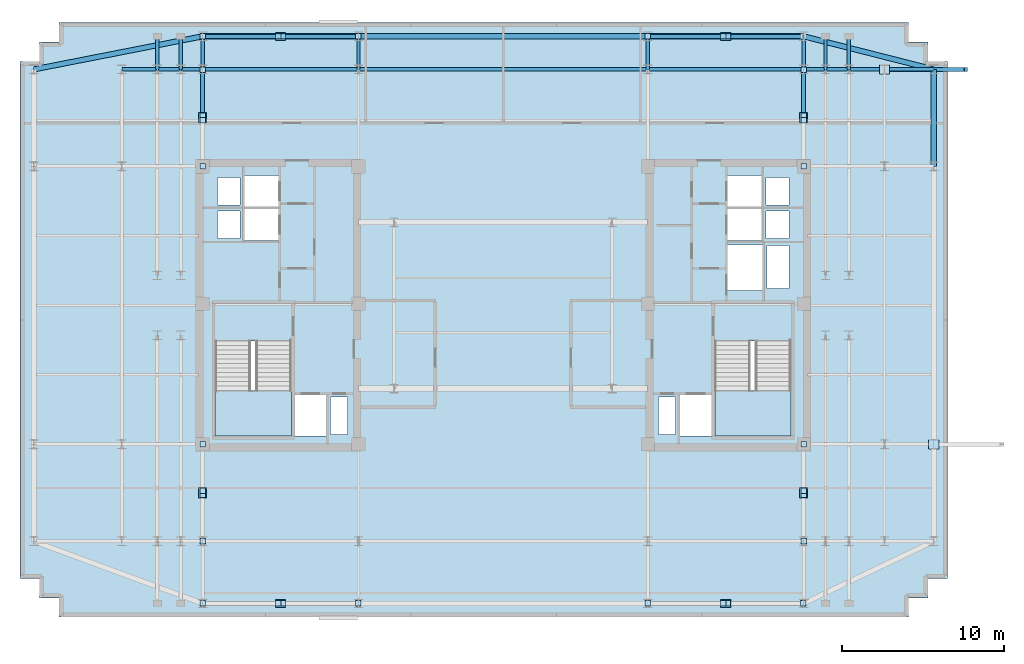
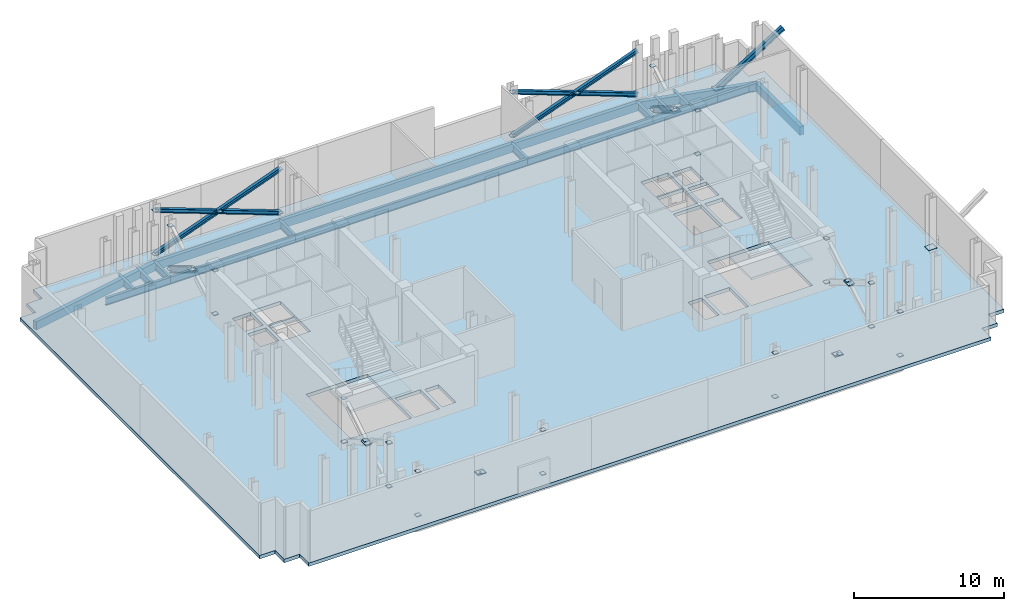
# One storey, part 3 of 8: 56 plates, 20 beams, 9 members, 3 slabs, 2 elements without a shape of their own.
"""IFC4 building model written with IfcOpenShell, lengths in metres."""

from ifc_helpers import new_model, si_unit, direction, frame, origin, origin_2d, place, context, subcontext, project, spatial, polyline, rectangle, i_section, outline, extrude, material, layer, layer_set, material_profile, profile_set, type_object, element, aggregate, save


model = new_model("IFC4")

# Units and contexts
model_context = context("Model", 3, precision=1e-05, world=origin(), true_north=direction((0.0, 1.0)))
body_context = subcontext(model_context, "Body", "Model", "MODEL_VIEW")
ifc_project = project(units=[si_unit("LENGTHUNIT", "METRE"), si_unit("AREAUNIT", "SQUARE_METRE"), si_unit("VOLUMEUNIT", "CUBIC_METRE"), si_unit("PLANEANGLEUNIT", "RADIAN"), si_unit("MASSUNIT", "GRAM", prefix="KILO")], contexts=[model_context])

# Site, building, storey
site_placement = place(None, origin())
site = spatial("IfcSite", under=ifc_project, at=site_placement, CompositionType="ELEMENT")
building_placement = place(site_placement, origin())
building = spatial("IfcBuilding", under=site, at=building_placement, Name="Velakula Bourse", CompositionType="ELEMENT")
storey_placement = place(building_placement, frame((0.0, 0.0, 243.0)))
storey = spatial("IfcBuildingStorey", under=building, at=storey_placement, Name="L66", CompositionType="ELEMENT", Elevation=243.0)

# Beams
ifc_material_1 = material(Name="Steel IS 2062 Grade 350 (E350)", Category="steel")
ifc_material_profile_1 = material_profile(ifc_material_1, i_section(OverallWidth=0.2099609375, OverallDepth=0.60009765625, WebThickness=0.011962890625, FlangeThickness=0.020751953125, at=origin_2d()), Name="Steel IS 2062 Grade 350 (E350)")
ifc_profile_set_1 = profile_set([ifc_material_profile_1], Name="Steel IS 2062 Grade 350 (E350)")
beam_type_1 = type_object("IfcBeamType", Name="BM-GRD-600L", PredefinedType="BEAM", material=ifc_profile_set_1)
beam_1_placement = place(storey_placement, frame((-18.60009765625, 14.60009765625, -0.580078125), z_axis=(1.0, 0.0, 0.0), x_axis=(0.0, 1.0, 0.0)))
element("IfcBeam", 1, at=beam_1_placement, inside=storey, type_object=beam_type_1, Name="L66 Fulcrum Grid Girder FLC-N1", PredefinedType="BEAM", context=body_context, shape_type="SweptSolid", body=[
    extrude(i_section(OverallWidth=0.2099609375, OverallDepth=0.60009765625, WebThickness=0.011962890625, FlangeThickness=0.020751953125, at=origin_2d()), origin(), (0.0, 0.0, 1.0), 9.650146484375),
])
beam_2_placement = place(storey_placement, frame((-8.949951171875, 14.60009765625, -0.580078125), z_axis=(1.0, 0.0, 0.0), x_axis=(0.0, 1.0, 0.0)))
element("IfcBeam", 2, at=beam_2_placement, inside=storey, type_object=beam_type_1, Name="L66 Fulcrum Grid Girder FLC-N2", PredefinedType="BEAM", context=body_context, shape_type="SweptSolid", body=[
    extrude(i_section(OverallWidth=0.2099609375, OverallDepth=0.60009765625, WebThickness=0.011962890625, FlangeThickness=0.020751953125, at=origin_2d()), origin(), (0.0, 0.0, 1.0), 17.89990234375),
])
beam_3_placement = place(storey_placement, frame((8.949951171875, 14.60009765625, -0.580078125), z_axis=(1.0, 0.0, 0.0), x_axis=(0.0, 1.0, 0.0)))
element("IfcBeam", 3, at=beam_3_placement, inside=storey, type_object=beam_type_1, Name="L66 Fulcrum Grid Girder FLC-N3", PredefinedType="BEAM", context=body_context, shape_type="SweptSolid", body=[
    extrude(i_section(OverallWidth=0.2099609375, OverallDepth=0.60009765625, WebThickness=0.011962890625, FlangeThickness=0.020751953125, at=origin_2d()), origin(), (0.0, 0.0, 1.0), 9.650146484375),
])
for number, where, z_axis, x_axis, name in (
    (4, (-23.60009765625, 14.60009765625, -0.580078125), (1.0, 0.0, 0.0), (0.0, 1.0, 0.0), "L66 Fulcrum Grid Girder MWG-WN2"),
    (5, (18.60009765625, 14.60009765625, -0.580078125), (1.0, 0.0, 0.0), (0.0, 1.0, 0.0), "L66 Fulcrum Grid Girder MWG-EN2"),
):
    element("IfcBeam", number, at=place(storey_placement, frame(where, z_axis=z_axis, x_axis=x_axis)), inside=storey, type_object=beam_type_1, Name=name, PredefinedType="BEAM", context=body_context, shape_type="SweptSolid", body=[
        extrude(i_section(OverallWidth=0.2099609375, OverallDepth=0.60009765625, WebThickness=0.011962890625, FlangeThickness=0.020751953125, at=origin_2d()), origin(), (0.0, 0.0, 1.0), 5.0),
    ])
for number, where, z_axis, x_axis, name in (
    (6, (-18.60009765625, 14.60009765625, -0.580078125), (0.0, 1.0, 0.0), (-1.0, 0.0, 0.0), "L66 Perimeter Tie Girder N1"),
    (7, (-8.949951171875, 14.60009765625, -0.580078125), (0.0, 1.0, 0.0), (-1.0, 0.0, 0.0), "L66 Perimeter Tie Girder N2"),
    (8, (8.949951171875, 14.60009765625, -0.580078125), (0.0, 1.0, 0.0), (-1.0, 0.0, 0.0), "L66 Perimeter Tie Girder N3"),
    (9, (18.60009765625, 14.60009765625, -0.580078125), (0.0, 1.0, 0.0), (-1.0, 0.0, 0.0), "L66 Perimeter Tie Girder N4"),
):
    element("IfcBeam", number, at=place(storey_placement, frame(where, z_axis=z_axis, x_axis=x_axis)), inside=storey, type_object=beam_type_1, Name=name, PredefinedType="BEAM", context=body_context, shape_type="SweptSolid", body=[
        extrude(i_section(OverallWidth=0.2099609375, OverallDepth=0.60009765625, WebThickness=0.011962890625, FlangeThickness=0.020751953125, at=origin_2d()), origin(), (0.0, 0.0, 1.0), 2.0498046875),
    ])
beam_4_placement = place(storey_placement, frame((23.60009765625, 14.60009765625, -0.580078125), z_axis=(1.0, 0.0, 0.0), x_axis=(0.0, 1.0, 0.0)))
element("IfcBeam", 10, at=beam_4_placement, inside=storey, type_object=beam_type_1, Name="L66 Perimeter Tie Girder E4", PredefinedType="BEAM", context=body_context, shape_type="SweptSolid", body=[
    extrude(i_section(OverallWidth=0.2099609375, OverallDepth=0.60009765625, WebThickness=0.011962890625, FlangeThickness=0.020751953125, at=origin_2d()), origin(), (0.0, 0.0, 1.0), 3.0498046875),
])
for number, where, z_axis, x_axis, name in (
    (11, (-21.39990234375, 14.60009765625, -0.580078125), (0.0, 1.0, 0.0), (-1.0, 0.0, 0.0), "L66 Perimeter Tie Girder P05"),
    (12, (-19.949951171875, 14.60009765625, -0.580078125), (0.0, 1.0, 0.0), (-1.0, 0.0, 0.0), "L66 Perimeter Tie Girder P06"),
    (13, (19.949951171875, 14.60009765625, -0.580078125), (0.0, 1.0, 0.0), (-1.0, 0.0, 0.0), "L66 Perimeter Tie Girder P07"),
    (14, (21.39990234375, 14.60009765625, -0.580078125), (0.0, 1.0, 0.0), (-1.0, 0.0, 0.0), "L66 Perimeter Tie Girder P08"),
):
    element("IfcBeam", number, at=place(storey_placement, frame(where, z_axis=z_axis, x_axis=x_axis)), inside=storey, type_object=beam_type_1, Name=name, PredefinedType="BEAM", context=body_context, shape_type="SweptSolid", body=[
        extrude(i_section(OverallWidth=0.2099609375, OverallDepth=0.60009765625, WebThickness=0.011962890625, FlangeThickness=0.020751953125, at=origin_2d()), origin(), (0.0, 0.0, 1.0), 2.0498046875),
    ])

# Members
ifc_material_profile_2 = material_profile(ifc_material_1, i_section(OverallWidth=0.25, OverallDepth=0.300048828125, WebThickness=0.009521484375, FlangeThickness=0.010498046875, at=origin_2d()), Name="Steel IS 2062 Grade 350 (E350)")
ifc_profile_set_2 = profile_set([ifc_material_profile_2], Name="Steel IS 2062 Grade 350 (E350)")
member_type_1 = type_object("IfcMemberType", Name="BR-BLT-300", PredefinedType="BRACE", material=ifc_profile_set_2)
member_1_placement = place(storey_placement, frame((-18.60009765625, 16.64990234375, 0.300048828125), z_axis=(0.937877208605, 0.0, 0.346967349443), x_axis=(0.0, 1.0, 0.0)))
element("IfcMember", 15, at=member_1_placement, inside=storey, type_object=member_type_1, Name="L66 Continuous Outrigger and Belt X-Brace BT-N1", PredefinedType="BRACE", context=body_context, shape_type="SweptSolid", body=[
    extrude(i_section(OverallWidth=0.25, OverallDepth=0.300048828125, WebThickness=0.009521484375, FlangeThickness=0.010498046875, at=origin_2d()), origin(), (0.0, 0.0, 1.0), 10.289306640625),
])
member_2_placement = place(storey_placement, frame((-8.949951171875, 16.64990234375, 0.300048828125), z_axis=(-0.937887559237, 0.0, 0.346939369671), x_axis=(0.0, -1.0, 0.0)))
element("IfcMember", 16, at=member_2_placement, inside=storey, type_object=member_type_1, Name="L66 Split X-Brace Lower Segment BT-N2A", PredefinedType="BRACE", context=body_context, shape_type="SweptSolid", body=[
    extrude(i_section(OverallWidth=0.25, OverallDepth=0.300048828125, WebThickness=0.009521484375, FlangeThickness=0.010498046875, at=origin_2d()), origin(), (0.0, 0.0, 1.0), 5.004638671875),
])
member_3_placement = place(storey_placement, frame((-13.90625, 16.64990234375, 2.133544921875), z_axis=(-0.937871685262, 0.0, 0.346982279063), x_axis=(0.0, -1.0, 0.0)))
element("IfcMember", 17, at=member_3_placement, inside=storey, type_object=member_type_1, Name="L66 Split X-Brace Upper Segment BT-N2B", PredefinedType="BRACE", context=body_context, shape_type="SweptSolid", body=[
    extrude(i_section(OverallWidth=0.25, OverallDepth=0.300048828125, WebThickness=0.009521484375, FlangeThickness=0.010498046875, at=origin_2d()), origin(), (0.0, 0.0, 1.0), 5.0048828125),
])
member_4_placement = place(storey_placement, frame((8.949951171875, 16.64990234375, 0.300048828125), z_axis=(0.937877208605, 0.0, 0.346967349443), x_axis=(0.0, 1.0, 0.0)))
element("IfcMember", 18, at=member_4_placement, inside=storey, type_object=member_type_1, Name="L66 Continuous Outrigger and Belt X-Brace BT-N3", PredefinedType="BRACE", context=body_context, shape_type="SweptSolid", body=[
    extrude(i_section(OverallWidth=0.25, OverallDepth=0.300048828125, WebThickness=0.009521484375, FlangeThickness=0.010498046875, at=origin_2d()), origin(), (0.0, 0.0, 1.0), 10.289306640625),
])
member_5_placement = place(storey_placement, frame((18.60009765625, 16.64990234375, 0.300048828125), z_axis=(-0.937887559237, 0.0, 0.346939369671), x_axis=(0.0, -1.0, 0.0)))
element("IfcMember", 19, at=member_5_placement, inside=storey, type_object=member_type_1, Name="L66 Split X-Brace Lower Segment BT-N4A", PredefinedType="BRACE", context=body_context, shape_type="SweptSolid", body=[
    extrude(i_section(OverallWidth=0.25, OverallDepth=0.300048828125, WebThickness=0.009521484375, FlangeThickness=0.010498046875, at=origin_2d()), origin(), (0.0, 0.0, 1.0), 5.004638671875),
])
member_6_placement = place(storey_placement, frame((13.643798828125, 16.64990234375, 2.133544921875), z_axis=(-0.937871685262, 0.0, 0.346982279063), x_axis=(0.0, -1.0, 0.0)))
element("IfcMember", 20, at=member_6_placement, inside=storey, type_object=member_type_1, Name="L66 Split X-Brace Upper Segment BT-N4B", PredefinedType="BRACE", context=body_context, shape_type="SweptSolid", body=[
    extrude(i_section(OverallWidth=0.25, OverallDepth=0.300048828125, WebThickness=0.009521484375, FlangeThickness=0.010498046875, at=origin_2d()), origin(), (0.0, 0.0, 1.0), 5.0048828125),
])
ifc_material_profile_3 = material_profile(ifc_material_1, i_section(OverallWidth=0.25, OverallDepth=0.449951171875, WebThickness=0.01123046875, FlangeThickness=0.013671875, at=origin_2d()), Name="Steel IS 2062 Grade 350 (E350)")
ifc_profile_set_3 = profile_set([ifc_material_profile_3], Name="Steel IS 2062 Grade 350 (E350)")
member_type_2 = type_object("IfcMemberType", Name="BR-OTR-450", PredefinedType="BRACE", material=ifc_profile_set_3)
for number, where, z_axis, x_axis, name in (
    (21, (-18.60009765625, 14.60009765625, 0.300048828125), (0.0, -0.859402650947, 0.511299406947), (1.0, 0.0, 0.0), "L66 Split X-Brace Lower Segment OT-NS4A"),
    (22, (18.60009765625, 14.60009765625, 0.300048828125), (0.0, -0.859402650947, 0.511299406947), (1.0, 0.0, 0.0), "L66 Split X-Brace Lower Segment OT-NS8A"),
):
    element("IfcMember", number, at=place(storey_placement, frame(where, z_axis=z_axis, x_axis=x_axis)), inside=storey, type_object=member_type_2, Name=name, PredefinedType="BRACE", context=body_context, shape_type="SweptSolid", body=[
        extrude(i_section(OverallWidth=0.25, OverallDepth=0.449951171875, WebThickness=0.01123046875, FlangeThickness=0.013671875, at=origin_2d()), origin(), (0.0, 0.0, 1.0), 3.35107421875),
    ])
ifc_material_profile_4 = material_profile(ifc_material_1, i_section(OverallWidth=0.25, OverallDepth=0.39990234375, WebThickness=0.010498046875, FlangeThickness=0.0126953125, at=origin_2d()), Name="Steel IS 2062 Grade 350 (E350)")
ifc_profile_set_4 = profile_set([ifc_material_profile_4], Name="Steel IS 2062 Grade 350 (E350)")
member_type_3 = type_object("IfcMemberType", Name="BR-TRF-400", PredefinedType="BRACE", material=ifc_profile_set_4)
member_7_placement = place(storey_placement, frame((23.60009765625, 14.60009765625, 0.300048828125), z_axis=(0.846725154662, 0.0, 0.532030555949), x_axis=(0.0, 1.0, 0.0)))
element("IfcMember", 23, at=member_7_placement, inside=storey, type_object=member_type_3, Name="L66 Inclined Cantilever Transfer Raking Strut E4", PredefinedType="BRACE", context=body_context, shape_type="SweptSolid", body=[
    extrude(i_section(OverallWidth=0.25, OverallDepth=0.39990234375, WebThickness=0.010498046875, FlangeThickness=0.0126953125, at=origin_2d()), origin(), (0.0, 0.0, 1.0), 5.958251953125),
])

# Beams
ifc_material_2 = material(Name="Precast concrete M45 (fck 45 MPa)", Category="concrete")
ifc_material_profile_5 = material_profile(ifc_material_2, rectangle(XDim=0.320068359375, YDim=0.679931640625, at=origin_2d()), Name="Precast concrete M45 (fck 45 MPa)")
ifc_profile_set_5 = profile_set([ifc_material_profile_5], Name="Precast concrete M45 (fck 45 MPa)")
beam_type_2 = type_object("IfcBeamType", Name="SPN-BRICK-680", PredefinedType="SPANDREL", material=ifc_profile_set_5)
beam_5_placement = place(storey_placement, frame((-18.60009765625, 16.64990234375, -0.6201171875), z_axis=(1.0, 0.0, 0.0), x_axis=(0.0, 1.0, 0.0)))
element("IfcBeam", 24, at=beam_5_placement, inside=storey, type_object=beam_type_2, Name="L66 Brick-Faced Precast Spandrel N1-N2", PredefinedType="SPANDREL", context=body_context, shape_type="SweptSolid", body=[
    extrude(rectangle(XDim=0.320068359375, YDim=0.679931640625, at=origin_2d()), origin(), (0.0, 0.0, 1.0), 9.650146484375),
])
beam_6_placement = place(storey_placement, frame((-8.949951171875, 16.64990234375, -0.6201171875), z_axis=(1.0, 0.0, 0.0), x_axis=(0.0, 1.0, 0.0)))
element("IfcBeam", 25, at=beam_6_placement, inside=storey, type_object=beam_type_2, Name="L66 Brick-Faced Precast Spandrel N2-N3", PredefinedType="SPANDREL", context=body_context, shape_type="SweptSolid", body=[
    extrude(rectangle(XDim=0.320068359375, YDim=0.679931640625, at=origin_2d()), origin(), (0.0, 0.0, 1.0), 17.89990234375),
])
beam_7_placement = place(storey_placement, frame((8.949951171875, 16.64990234375, -0.6201171875), z_axis=(1.0, 0.0, 0.0), x_axis=(0.0, 1.0, 0.0)))
element("IfcBeam", 26, at=beam_7_placement, inside=storey, type_object=beam_type_2, Name="L66 Brick-Faced Precast Spandrel N3-N4", PredefinedType="SPANDREL", context=body_context, shape_type="SweptSolid", body=[
    extrude(rectangle(XDim=0.320068359375, YDim=0.679931640625, at=origin_2d()), origin(), (0.0, 0.0, 1.0), 9.650146484375),
])
beam_8_placement = place(storey_placement, frame((26.64990234375, 8.60009765625, -0.6201171875), z_axis=(0.0, 1.0, 0.0), x_axis=(-1.0, 0.0, 0.0)))
element("IfcBeam", 27, at=beam_8_placement, inside=storey, type_object=beam_type_2, Name="L66 Brick-Faced Precast Spandrel E3-E4", PredefinedType="SPANDREL", context=body_context, shape_type="SweptSolid", body=[
    extrude(rectangle(XDim=0.320068359375, YDim=0.679931640625, at=origin_2d()), origin(), (0.0, 0.0, 1.0), 6.0),
])
beam_9_placement = place(storey_placement, frame((26.64990234375, 14.60009765625, -0.6201171875), z_axis=(-0.969075197656, 0.246765599888, 0.0), x_axis=(-0.246765599888, -0.969075197656, 0.0)))
element("IfcBeam", 28, at=beam_9_placement, inside=storey, type_object=beam_type_2, Name="L66 Brick-Faced Precast Spandrel E4-N4", PredefinedType="SPANDREL", context=body_context, shape_type="SweptSolid", body=[
    extrude(rectangle(XDim=0.320068359375, YDim=0.679931640625, at=origin_2d()), origin(), (0.0, 0.0, 1.0), 8.306640625),
])
beam_10_placement = place(storey_placement, frame((-18.60009765625, 16.64990234375, -0.6201171875), z_axis=(-0.981299657048, -0.192486319197, 0.0), x_axis=(0.192486319197, -0.981299657048, 0.0)))
element("IfcBeam", 29, at=beam_10_placement, inside=storey, type_object=beam_type_2, Name="L66 Brick-Faced Precast Spandrel N1-W4", PredefinedType="SPANDREL", context=body_context, shape_type="SweptSolid", body=[
    extrude(rectangle(XDim=0.320068359375, YDim=0.679931640625, at=origin_2d()), origin(), (0.0, 0.0, 1.0), 10.649169921875),
])

# Plates
ifc_layer_1 = layer(ifc_material_1, 0.0400390625, Name="Steel IS 2062 Grade 350 (E350)", Category="steel")
ifc_layer_set_1 = layer_set([ifc_layer_1], Name="Steel IS 2062 Grade 350 (E350)")
plate_type_1 = type_object("IfcPlateType", Name="PLT-ENDCAP-340", PredefinedType="USERDEFINED", material=ifc_layer_set_1)
for number, where, z_axis, x_axis, name in (
    (30, (-18.60009765625, -8.6103515625, 0.2861328125), (0.0, 0.0, 1.0), (0.0, -1.0, 0.0), "L66 Continuous Outrigger and Belt X-Brace OT-NS1 hollow end cap plate 1"),
    (31, (-18.60009765625, -14.589599609375, 3.84375), (0.0, 0.0, 1.0), (0.0, -1.0, 0.0), "L66 Continuous Outrigger and Belt X-Brace OT-NS1 hollow end cap plate 2"),
    (32, (-18.60009765625, -14.589599609375, 0.2861328125), (0.0, 0.0, 1.0), (0.0, 1.0, 0.0), "L66 Split X-Brace Lower Segment OT-NS2A hollow end cap plate 1"),
    (33, (-18.60009765625, -11.730712890625, 1.9873046875), (0.0, 0.0, 1.0), (0.0, 1.0, 0.0), "L66 Split X-Brace Lower Segment OT-NS2A hollow end cap plate 2"),
    (34, (-18.60009765625, -11.469482421875, 2.142822265625), (0.0, 0.0, 1.0), (0.0, 1.0, 0.0), "L66 Split X-Brace Upper Segment OT-NS2B hollow end cap plate 1"),
    (35, (-18.60009765625, -8.6103515625, 3.84375), (0.0, 0.0, 1.0), (0.0, 1.0, 0.0), "L66 Split X-Brace Upper Segment OT-NS2B hollow end cap plate 2"),
    (36, (-18.60009765625, 8.6103515625, 0.2861328125), (0.0, 0.0, 1.0), (0.0, 1.0, 0.0), "L66 Continuous Outrigger and Belt X-Brace OT-NS3 hollow end cap plate 1"),
    (37, (-18.60009765625, 14.589599609375, 3.84375), (0.0, 0.0, 1.0), (0.0, 1.0, 0.0), "L66 Continuous Outrigger and Belt X-Brace OT-NS3 hollow end cap plate 2"),
    (38, (-18.60009765625, 14.589599609375, 0.2861328125), (0.0, 0.0, 1.0), (0.0, -1.0, 0.0), "L66 Split X-Brace Lower Segment OT-NS4A hollow end cap plate 1"),
    (39, (-18.60009765625, 11.730712890625, 1.9873046875), (0.0, 0.0, 1.0), (0.0, -1.0, 0.0), "L66 Split X-Brace Lower Segment OT-NS4A hollow end cap plate 2"),
    (40, (-18.60009765625, 11.469482421875, 2.142822265625), (0.0, 0.0, 1.0), (0.0, -1.0, 0.0), "L66 Split X-Brace Upper Segment OT-NS4B hollow end cap plate 1"),
    (41, (-18.60009765625, 8.6103515625, 3.84375), (0.0, 0.0, 1.0), (0.0, -1.0, 0.0), "L66 Split X-Brace Upper Segment OT-NS4B hollow end cap plate 2"),
    (42, (18.60009765625, -8.6103515625, 0.2861328125), (0.0, 0.0, 1.0), (0.0, -1.0, 0.0), "L66 Continuous Outrigger and Belt X-Brace OT-NS5 hollow end cap plate 1"),
    (43, (18.60009765625, -14.589599609375, 3.84375), (0.0, 0.0, 1.0), (0.0, -1.0, 0.0), "L66 Continuous Outrigger and Belt X-Brace OT-NS5 hollow end cap plate 2"),
    (44, (18.60009765625, -14.589599609375, 0.2861328125), (0.0, 0.0, 1.0), (0.0, 1.0, 0.0), "L66 Split X-Brace Lower Segment OT-NS6A hollow end cap plate 1"),
    (45, (18.60009765625, -11.730712890625, 1.9873046875), (0.0, 0.0, 1.0), (0.0, 1.0, 0.0), "L66 Split X-Brace Lower Segment OT-NS6A hollow end cap plate 2"),
    (46, (18.60009765625, -11.469482421875, 2.142822265625), (0.0, 0.0, 1.0), (0.0, 1.0, 0.0), "L66 Split X-Brace Upper Segment OT-NS6B hollow end cap plate 1"),
    (47, (18.60009765625, -8.6103515625, 3.84375), (0.0, 0.0, 1.0), (0.0, 1.0, 0.0), "L66 Split X-Brace Upper Segment OT-NS6B hollow end cap plate 2"),
    (48, (18.60009765625, 8.6103515625, 0.2861328125), (0.0, 0.0, 1.0), (0.0, 1.0, 0.0), "L66 Continuous Outrigger and Belt X-Brace OT-NS7 hollow end cap plate 1"),
    (49, (18.60009765625, 14.589599609375, 3.84375), (0.0, 0.0, 1.0), (0.0, 1.0, 0.0), "L66 Continuous Outrigger and Belt X-Brace OT-NS7 hollow end cap plate 2"),
    (50, (18.60009765625, 14.589599609375, 0.2861328125), (0.0, 0.0, 1.0), (0.0, -1.0, 0.0), "L66 Split X-Brace Lower Segment OT-NS8A hollow end cap plate 1"),
    (51, (18.60009765625, 11.730712890625, 1.9873046875), (0.0, 0.0, 1.0), (0.0, -1.0, 0.0), "L66 Split X-Brace Lower Segment OT-NS8A hollow end cap plate 2"),
    (52, (18.60009765625, 11.469482421875, 2.142822265625), (0.0, 0.0, 1.0), (0.0, -1.0, 0.0), "L66 Split X-Brace Upper Segment OT-NS8B hollow end cap plate 1"),
    (53, (18.60009765625, 8.6103515625, 3.84375), (0.0, 0.0, 1.0), (0.0, -1.0, 0.0), "L66 Split X-Brace Upper Segment OT-NS8B hollow end cap plate 2"),
    (54, (-18.588623046875, -18.449951171875, 0.2841796875), (0.0, 0.0, 1.0), (1.0, 0.0, 0.0), "L66 Continuous Outrigger and Belt X-Brace BT-S1 hollow end cap plate 1"),
    (55, (-8.961181640625, -18.449951171875, 3.845703125), (0.0, 0.0, 1.0), (1.0, 0.0, 0.0), "L66 Continuous Outrigger and Belt X-Brace BT-S1 hollow end cap plate 2"),
    (56, (-8.961181640625, -18.449951171875, 0.2841796875), (0.0, 0.0, 1.0), (-1.0, 0.0, 0.0), "L66 Split X-Brace Lower Segment BT-S2A hollow end cap plate 1"),
    (57, (-13.63232421875, -18.449951171875, 2.01220703125), (0.0, 0.0, 1.0), (-1.0, 0.0, 0.0), "L66 Split X-Brace Lower Segment BT-S2A hollow end cap plate 2"),
    (58, (-13.91748046875, -18.449951171875, 2.11767578125), (0.0, 0.0, 1.0), (-1.0, 0.0, 0.0), "L66 Split X-Brace Upper Segment BT-S2B hollow end cap plate 1"),
    (59, (-18.588623046875, -18.449951171875, 3.845703125), (0.0, 0.0, 1.0), (-1.0, 0.0, 0.0), "L66 Split X-Brace Upper Segment BT-S2B hollow end cap plate 2"),
    (60, (8.961181640625, -18.449951171875, 0.2841796875), (0.0, 0.0, 1.0), (1.0, 0.0, 0.0), "L66 Continuous Outrigger and Belt X-Brace BT-S3 hollow end cap plate 1"),
    (61, (18.588623046875, -18.449951171875, 3.845703125), (0.0, 0.0, 1.0), (1.0, 0.0, 0.0), "L66 Continuous Outrigger and Belt X-Brace BT-S3 hollow end cap plate 2"),
    (62, (18.588623046875, -18.449951171875, 0.2841796875), (0.0, 0.0, 1.0), (-1.0, 0.0, 0.0), "L66 Split X-Brace Lower Segment BT-S4A hollow end cap plate 1"),
    (63, (13.91748046875, -18.449951171875, 2.01220703125), (0.0, 0.0, 1.0), (-1.0, 0.0, 0.0), "L66 Split X-Brace Lower Segment BT-S4A hollow end cap plate 2"),
    (64, (13.63232421875, -18.449951171875, 2.11767578125), (0.0, 0.0, 1.0), (-1.0, 0.0, 0.0), "L66 Split X-Brace Upper Segment BT-S4B hollow end cap plate 1"),
    (65, (8.961181640625, -18.449951171875, 3.845703125), (0.0, 0.0, 1.0), (-1.0, 0.0, 0.0), "L66 Split X-Brace Upper Segment BT-S4B hollow end cap plate 2"),
    (66, (-18.588623046875, 16.64990234375, 0.2841796875), (0.0, 0.0, 1.0), (1.0, 0.0, 0.0), "L66 Continuous Outrigger and Belt X-Brace BT-N1 hollow end cap plate 1"),
    (67, (-8.961181640625, 16.64990234375, 3.845703125), (0.0, 0.0, 1.0), (1.0, 0.0, 0.0), "L66 Continuous Outrigger and Belt X-Brace BT-N1 hollow end cap plate 2"),
    (68, (-8.961181640625, 16.64990234375, 0.2841796875), (0.0, 0.0, 1.0), (-1.0, 0.0, 0.0), "L66 Split X-Brace Lower Segment BT-N2A hollow end cap plate 1"),
    (69, (-13.63232421875, 16.64990234375, 2.01220703125), (0.0, 0.0, 1.0), (-1.0, 0.0, 0.0), "L66 Split X-Brace Lower Segment BT-N2A hollow end cap plate 2"),
    (70, (-13.91748046875, 16.64990234375, 2.11767578125), (0.0, 0.0, 1.0), (-1.0, 0.0, 0.0), "L66 Split X-Brace Upper Segment BT-N2B hollow end cap plate 1"),
    (71, (-18.588623046875, 16.64990234375, 3.845703125), (0.0, 0.0, 1.0), (-1.0, 0.0, 0.0), "L66 Split X-Brace Upper Segment BT-N2B hollow end cap plate 2"),
    (72, (8.961181640625, 16.64990234375, 0.2841796875), (0.0, 0.0, 1.0), (1.0, 0.0, 0.0), "L66 Continuous Outrigger and Belt X-Brace BT-N3 hollow end cap plate 1"),
    (73, (13.91748046875, 16.64990234375, 2.01220703125), (0.0, 0.0, 1.0), (-1.0, 0.0, 0.0), "L66 Split X-Brace Lower Segment BT-N4A hollow end cap plate 2"),
    (74, (13.63232421875, 16.64990234375, 2.11767578125), (0.0, 0.0, 1.0), (-1.0, 0.0, 0.0), "L66 Split X-Brace Upper Segment BT-N4B hollow end cap plate 1"),
    (75, (8.961181640625, 16.64990234375, 3.845703125), (0.0, 0.0, 1.0), (-1.0, 0.0, 0.0), "L66 Split X-Brace Upper Segment BT-N4B hollow end cap plate 2"),
):
    element("IfcPlate", number, at=place(storey_placement, frame(where, z_axis=z_axis, x_axis=x_axis)), inside=storey, type_object=plate_type_1, Name=name, ObjectType="GUSSET PLATE", PredefinedType="USERDEFINED", context=body_context, shape_type="SweptSolid", body=[
        extrude(rectangle(XDim=0.340087890625, YDim=0.340087890625, at=origin_2d()), origin(), (0.0, 0.0, 1.0), 0.0400390625),
    ])
ifc_layer_2 = layer(ifc_material_1, 0.0400390625, Name="Steel IS 2062 Grade 350 (E350)", Category="steel")
ifc_layer_set_2 = layer_set([ifc_layer_2], Name="Steel IS 2062 Grade 350 (E350)")
plate_type_2 = type_object("IfcPlateType", Name="PLT-NODE-OTR", PredefinedType="USERDEFINED", material=ifc_layer_set_2)
for number, where, z_axis, x_axis, name in (
    (76, (-18.60009765625, -11.60009765625, 2.06494140625), (0.0, 0.0, 1.0), (0.0, -1.0, 0.0), "L66 X-Brace Central Crossing Gusset Plate 1"),
    (77, (-18.60009765625, 11.60009765625, 2.06494140625), (0.0, 0.0, 1.0), (0.0, 1.0, 0.0), "L66 X-Brace Central Crossing Gusset Plate 2"),
    (78, (18.60009765625, -11.60009765625, 2.06494140625), (0.0, 0.0, 1.0), (0.0, -1.0, 0.0), "L66 X-Brace Central Crossing Gusset Plate 3"),
    (79, (18.60009765625, 11.60009765625, 2.06494140625), (0.0, 0.0, 1.0), (0.0, 1.0, 0.0), "L66 X-Brace Central Crossing Gusset Plate 4"),
    (80, (-13.77490234375, -18.449951171875, 2.06494140625), (0.0, 0.0, 1.0), (1.0, 0.0, 0.0), "L66 X-Brace Central Crossing Gusset Plate 5"),
    (81, (13.77490234375, -18.449951171875, 2.06494140625), (0.0, 0.0, 1.0), (1.0, 0.0, 0.0), "L66 X-Brace Central Crossing Gusset Plate 6"),
    (82, (-13.77490234375, 16.64990234375, 2.06494140625), (0.0, 0.0, 1.0), (1.0, 0.0, 0.0), "L66 X-Brace Central Crossing Gusset Plate 7"),
    (83, (13.77490234375, 16.64990234375, 2.06494140625), (0.0, 0.0, 1.0), (1.0, 0.0, 0.0), "L66 X-Brace Central Crossing Gusset Plate 8"),
):
    element("IfcPlate", number, at=place(storey_placement, frame(where, z_axis=z_axis, x_axis=x_axis)), inside=storey, type_object=plate_type_2, Name=name, ObjectType="GUSSET PLATE", PredefinedType="USERDEFINED", context=body_context, shape_type="SweptSolid", body=[
        extrude(rectangle(XDim=0.639892578125, YDim=0.5, at=origin_2d()), origin(), (0.0, 0.0, 1.0), 0.0400390625),
    ])
ifc_layer_3 = layer(ifc_material_1, 0.0400390625, Name="Steel IS 2062 Grade 350 (E350)", Category="steel")
ifc_layer_set_3 = layer_set([ifc_layer_3], Name="Steel IS 2062 Grade 350 (E350)")
plate_type_3 = type_object("IfcPlateType", Name="PLT-NODE-TRF", PredefinedType="USERDEFINED", material=ifc_layer_set_3)
for number, where, z_axis, x_axis, name in (
    (84, (26.64990234375, -8.60009765625, 0.280029296875), (0.0, 0.0, 1.0), (1.0, 0.0, 0.0), "L66 Transfer Raking Strut Foot Gusset E2"),
    (85, (23.60009765625, 14.60009765625, 0.280029296875), (0.0, 0.0, 1.0), (1.0, 0.0, 0.0), "L66 Transfer Raking Strut Foot Gusset E4"),
):
    element("IfcPlate", number, at=place(storey_placement, frame(where, z_axis=z_axis, x_axis=x_axis)), inside=storey, type_object=plate_type_3, Name=name, ObjectType="GUSSET PLATE", PredefinedType="USERDEFINED", context=body_context, shape_type="SweptSolid", body=[
        extrude(rectangle(XDim=0.639892578125, YDim=0.56005859375, at=origin_2d()), origin(), (0.0, 0.0, 1.0), 0.0400390625),
    ])

# Stair, slab
ifc_material_3 = material(Name="Concrete M45 (fck 45 MPa)", Category="concrete")
stair_type = type_object("IfcStairType", Name="STR-DOG-435", PredefinedType="HALF_TURN_STAIR", material=ifc_material_3)
stair_1_placement = place(storey_placement, origin())
stair_1 = element("IfcStair", 86, at=stair_1_placement, inside=storey, type_object=stair_type, Name="L66 West Core Exit Stair ST-W1", PredefinedType="HALF_TURN_STAIR")
ifc_layer_4 = layer(ifc_material_3, 0.199951171875, Name="Concrete M45 (fck 45 MPa)", Category="concrete")
ifc_layer_set_4 = layer_set([ifc_layer_4], Name="Concrete M45 (fck 45 MPa)")
slab_type_1 = type_object("IfcSlabType", Name="SLB-STAIR-LND-200", PredefinedType="LANDING", material=ifc_layer_set_4)
slab_1_placement = place(storey_placement, frame((0.0, 0.0, 2.050048828125)))
slab_1 = element("IfcSlab", 87, at=slab_1_placement, type_object=slab_type_1, Name="ST-W1 landing 1", PredefinedType="LANDING", context=body_context, shape_type="SweptSolid", body=[
    extrude(outline(polyline([(-17.820068359375, -5.280029296875), (-17.820068359375, -8.10009765625), (-13.10009765625, -8.10009765625), (-13.10009765625, -5.280029296875), (-17.820068359375, -5.280029296875)])), origin(), (0.0, 0.0, 1.0), 0.199951171875),
])
aggregate(stair_1, [slab_1])

stair_2_placement = place(storey_placement, origin())
stair_2 = element("IfcStair", 88, at=stair_2_placement, inside=storey, type_object=stair_type, Name="L66 East Core Exit Stair ST-E1", PredefinedType="HALF_TURN_STAIR")
slab_2_placement = place(storey_placement, frame((0.0, 0.0, 2.050048828125)))
slab_2 = element("IfcSlab", 89, at=slab_2_placement, type_object=slab_type_1, Name="ST-E1 landing 1", PredefinedType="LANDING", context=body_context, shape_type="SweptSolid", body=[
    extrude(outline(polyline([(13.10009765625, -5.280029296875), (13.10009765625, -8.10009765625), (17.820068359375, -8.10009765625), (17.820068359375, -5.280029296875), (13.10009765625, -5.280029296875)])), origin(), (0.0, 0.0, 1.0), 0.199951171875),
])
aggregate(stair_2, [slab_2])

# Slab
ifc_material_4 = material(Name="Concrete M50 (fck 50 MPa)", Category="concrete")
ifc_layer_5 = layer(ifc_material_4, 0.280029296875, Name="Concrete M50 (fck 50 MPa)", Category="concrete")
ifc_layer_set_5 = layer_set([ifc_layer_5], Name="Concrete M50 (fck 50 MPa)")
slab_type_2 = type_object("IfcSlabType", Name="SLB-TRF-280", PredefinedType="FLOOR", material=ifc_layer_set_5)
slab_3_placement = place(storey_placement, frame((0.0, 0.0, -0.280029296875)))
element("IfcSlab", 90, at=slab_3_placement, inside=storey, type_object=slab_type_2, Name="L66 Suspended Structural Floor Slab", PredefinedType="FLOOR", context=body_context, shape_type="SweptSolid", body=[
    extrude(outline(polyline([(-27.5, -19.300048828125), (25.10009765625, -19.300048828125), (25.10009765625, -18.10009765625), (26.300048828125, -18.10009765625), (26.300048828125, -16.89990234375), (27.5, -16.89990234375), (27.5, 15.10009765625), (26.300048828125, 15.10009765625), (26.300048828125, 16.300048828125), (25.10009765625, 16.300048828125), (25.10009765625, 17.5), (-27.5, 17.5), (-27.5, 16.300048828125), (-28.699951171875, 16.300048828125), (-28.699951171875, 15.10009765625), (-29.89990234375, 15.10009765625), (-29.89990234375, -16.89990234375), (-28.699951171875, -16.89990234375), (-28.699951171875, -18.10009765625), (-27.5, -18.10009765625), (-27.5, -19.300048828125)]), holes=[polyline([(-17.820068359375, -8.10009765625), (-13.10009765625, -8.10009765625), (-13.10009765625, -2.199951171875), (-17.820068359375, -2.199951171875), (-17.820068359375, -8.10009765625)]), polyline([(13.10009765625, -8.10009765625), (17.820068359375, -8.10009765625), (17.820068359375, -2.199951171875), (13.10009765625, -2.199951171875), (13.10009765625, -8.10009765625)]), polyline([(-12.89990234375, -8.10009765625), (-10.949951171875, -8.10009765625), (-10.949951171875, -5.550048828125), (-12.89990234375, -5.550048828125), (-12.89990234375, -8.10009765625)]), polyline([(10.949951171875, -8.10009765625), (12.89990234375, -8.10009765625), (12.89990234375, -5.550048828125), (10.949951171875, -5.550048828125), (10.949951171875, -8.10009765625)]), polyline([(13.89990234375, 0.919921875), (16.050048828125, 0.919921875), (16.050048828125, 3.719970703125), (13.89990234375, 3.719970703125), (13.89990234375, 0.919921875)]), polyline([(-10.679931640625, -7.97998046875), (-9.6201171875, -7.97998046875), (-9.6201171875, -5.669921875), (-10.679931640625, -5.669921875), (-10.679931640625, -7.97998046875)]), polyline([(-17.679931640625, 4.139892578125), (-16.27001953125, 4.139892578125), (-16.27001953125, 5.85009765625), (-17.679931640625, 5.85009765625), (-17.679931640625, 4.139892578125)]), polyline([(-17.679931640625, 6.2099609375), (-16.27001953125, 6.2099609375), (-16.27001953125, 7.919921875), (-17.679931640625, 7.919921875), (-17.679931640625, 6.2099609375)]), polyline([(9.6201171875, -7.97998046875), (10.679931640625, -7.97998046875), (10.679931640625, -5.669921875), (9.6201171875, -5.669921875), (9.6201171875, -7.97998046875)]), polyline([(16.27001953125, 4.139892578125), (17.679931640625, 4.139892578125), (17.679931640625, 5.85009765625), (16.27001953125, 5.85009765625), (16.27001953125, 4.139892578125)]), polyline([(16.27001953125, 6.2099609375), (17.679931640625, 6.2099609375), (17.679931640625, 7.919921875), (16.27001953125, 7.919921875), (16.27001953125, 6.2099609375)]), polyline([(16.320068359375, 1.0400390625), (17.679931640625, 1.0400390625), (17.679931640625, 3.699951171875), (16.320068359375, 3.699951171875), (16.320068359375, 1.0400390625)]), polyline([(-16.0, 4.02001953125), (-13.89990234375, 4.02001953125), (-13.89990234375, 5.969970703125), (-16.0, 5.969970703125), (-16.0, 4.02001953125)]), polyline([(-16.0, 6.090087890625), (-13.89990234375, 6.090087890625), (-13.89990234375, 8.0400390625), (-16.0, 8.0400390625), (-16.0, 6.090087890625)]), polyline([(13.89990234375, 4.02001953125), (16.0, 4.02001953125), (16.0, 5.969970703125), (13.89990234375, 5.969970703125), (13.89990234375, 4.02001953125)]), polyline([(13.89990234375, 6.090087890625), (16.0, 6.090087890625), (16.0, 8.0400390625), (13.89990234375, 8.0400390625), (13.89990234375, 6.090087890625)])]), origin(), (0.0, 0.0, 1.0), 0.280029296875),
])

save(model, "model.ifc")
